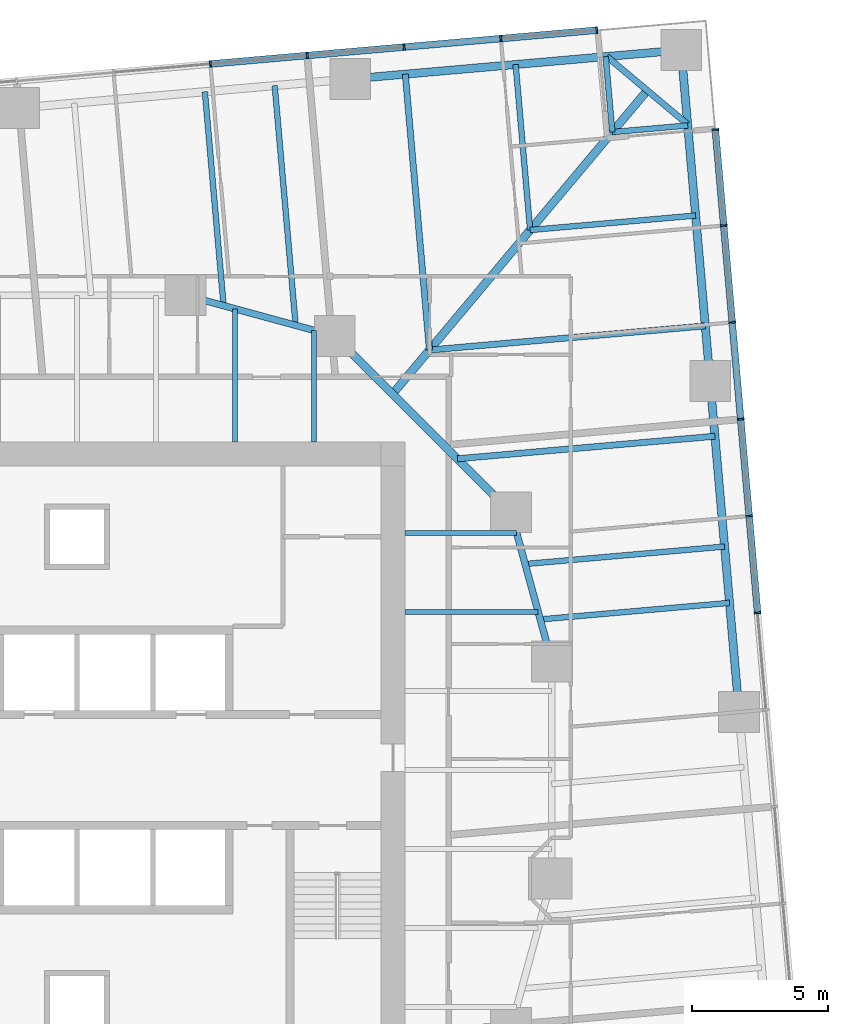
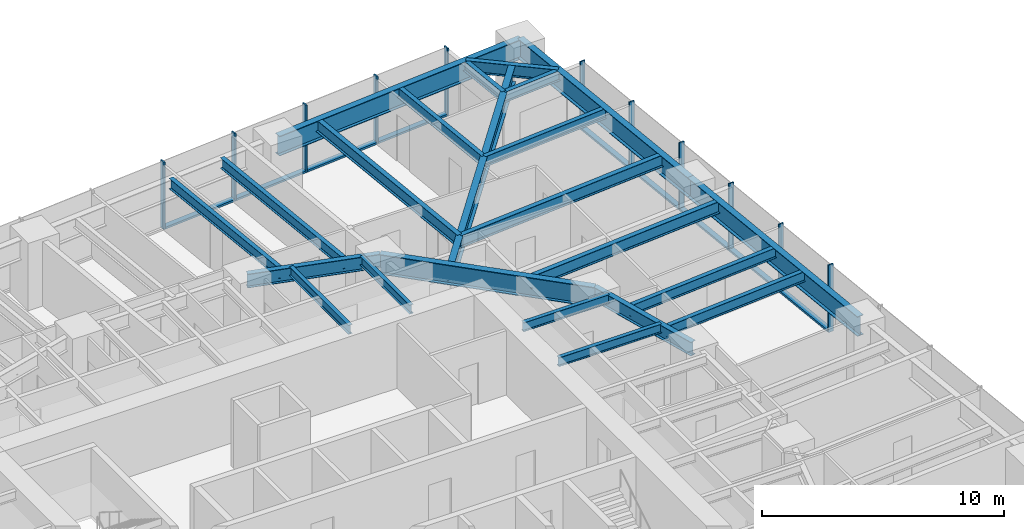
# One storey, part 6 of 14: 23 beams, 20 members, 2 elements without a shape of their own.
"""IFC4 building model written with IfcOpenShell, lengths in metres."""

import ifcopenshell
import ifcopenshell.guid

model = None  # the IFC model being written
_history = None  # IfcOwnerHistory: only IFC2X3 demands one
_inside = {}  # id of a spatial element -> (the spatial element, [elements in it])
_under = {}  # id of a project, library or spatial element -> (it, [spatial elements below it])
_declared = {}  # id of a project -> (the project, [libraries it declares])
_typed = {}  # id of a type object -> (the type object, [elements of that type])
_made_of = {}  # id of a material, layer set ... -> (it, [elements and type objects made of it])


def new_model(schema):
    """Start an empty IFC model of exactly this schema.

    Asked for "IFC4X3", IfcOpenShell would pick the latest addendum, in which some entities
    have other attributes; the version numbers below select the first issue.
    IFC2X3 requires an IfcOwnerHistory on every rooted entity: one is made here for all.
    """
    global model, _history
    if schema == "IFC4X3":
        model = ifcopenshell.file(schema_version=(4, 3, 0, 0))
    else:
        model = ifcopenshell.file(schema=schema)
    _inside.clear()
    _under.clear()
    _declared.clear()
    _typed.clear()
    _made_of.clear()
    _history = None
    if model.schema == "IFC2X3":
        org = make("IfcOrganization", Name="unknown")
        user = make(
            "IfcPersonAndOrganization",
            ThePerson=make("IfcPerson", FamilyName="unknown"),
            TheOrganization=org,
        )
        app = make(
            "IfcApplication",
            ApplicationDeveloper=org,
            Version="unknown",
            ApplicationFullName="unknown",
            ApplicationIdentifier="unknown",
        )
        _history = make(
            "IfcOwnerHistory",
            OwningUser=user,
            OwningApplication=app,
            ChangeAction="ADDED",
            CreationDate=0,
        )
    return model


def make(cls, **values):
    """One entity of the class cls with the attributes given. An attribute that is None is left unset."""
    return model.create_entity(
        cls, **{name: value for name, value in values.items() if value is not None}
    )


def rooted(cls, **values):
    """An entity with a GlobalId (a new one), such as an element, a storey or a relation."""
    return make(cls, GlobalId=ifcopenshell.guid.new(), OwnerHistory=_history, **values)


def si_unit(unit_type, name, prefix=None):
    """IfcSIUnit, for example si_unit("LENGTHUNIT", "METRE", prefix="MILLI")."""
    return make("IfcSIUnit", UnitType=unit_type, Prefix=prefix, Name=name)


def assignment(units):
    """IfcUnitAssignment: the units of a project."""
    return None if units is None else make("IfcUnitAssignment", Units=units)


def point(xyz):
    """IfcCartesianPoint."""
    return None if xyz is None else make("IfcCartesianPoint", Coordinates=xyz)


def direction(xyz):
    """IfcDirection."""
    return None if xyz is None else make("IfcDirection", DirectionRatios=xyz)


def frame(location, z_axis=None, x_axis=None):
    """IfcAxis2Placement3D, a coordinate frame: its origin and axes. An axis left out is left unset."""
    return make(
        "IfcAxis2Placement3D",
        Location=point(location),
        Axis=direction(z_axis),
        RefDirection=direction(x_axis),
    )


def frame_2d(location, x_axis=None):
    """IfcAxis2Placement2D, a coordinate frame in the plane: its origin and x axis."""
    return make(
        "IfcAxis2Placement2D", Location=point(location), RefDirection=direction(x_axis)
    )


def origin():
    """The frame at (0, 0, 0) with its axes left unset."""
    return frame((0.0, 0.0, 0.0))


def origin_2d():
    """The frame at (0, 0) in the plane with its x axis left unset."""
    return frame_2d((0.0, 0.0))


def place(relative_to, where):
    """IfcLocalPlacement: puts the frame where relative to a parent placement (None: the world)."""
    return make(
        "IfcLocalPlacement", PlacementRelTo=relative_to, RelativePlacement=where
    )


def context(
    kind, dimensions, precision=None, world=None, true_north=None, identifier=None
):
    """IfcGeometricRepresentationContext, for example the 3D "Model" context."""
    return make(
        "IfcGeometricRepresentationContext",
        ContextIdentifier=identifier,
        ContextType=kind,
        CoordinateSpaceDimension=dimensions,
        Precision=precision,
        WorldCoordinateSystem=world,
        TrueNorth=true_north,
    )


def subcontext(parent, identifier, kind, view, scale=None):
    """IfcGeometricRepresentationSubContext, for example "Body" below "Model"."""
    return make(
        "IfcGeometricRepresentationSubContext",
        ContextIdentifier=identifier,
        ContextType=kind,
        ParentContext=parent,
        TargetScale=scale,
        TargetView=view,
    )


def project(units=None, contexts=None):
    """IfcProject with its units and contexts."""
    return rooted(
        "IfcProject",
        Name="project",
        RepresentationContexts=contexts,
        UnitsInContext=assignment(units),
    )


def spatial(cls, under=None, at=None, **own):
    """A site, building, storey or space (cls), placed at a placement, below another one or the project."""
    s = rooted(cls, ObjectPlacement=at, **own)
    if under is not None:
        _under.setdefault(under.id(), (under, []))[1].append(s)
    return s


def profile(cls, at=None, kind="AREA", **sizes):
    """A parametric profile (cls). Its sizes go by their IFC names, for example OverallWidth=200.0."""
    return make(cls, ProfileType=kind, Position=at, **sizes)


def rectangle(**sizes):
    """IfcRectangleProfileDef."""
    return profile("IfcRectangleProfileDef", **sizes)


def i_section(**sizes):
    """IfcIShapeProfileDef."""
    return profile("IfcIShapeProfileDef", **sizes)


def extrude(swept, where, along, depth):
    """IfcExtrudedAreaSolid: the profile swept, set in the frame where, extruded along a direction by depth."""
    return make(
        "IfcExtrudedAreaSolid",
        SweptArea=swept,
        Position=where,
        ExtrudedDirection=direction(along),
        Depth=depth,
    )


def shape(context_of_items, identifier, shape_type, items):
    """IfcShapeRepresentation: the items that make up one representation, for example the "Body"."""
    return make(
        "IfcShapeRepresentation",
        ContextOfItems=context_of_items,
        RepresentationIdentifier=identifier,
        RepresentationType=shape_type,
        Items=items,
    )


def material(Name=None, Category=None):
    """IfcMaterial."""
    return make("IfcMaterial", Name=Name, Category=Category)


def material_profile(
    of_material, cross_section, Name=None, Category=None, Priority=None
):
    """IfcMaterialProfile: a cross section and its material."""
    return make(
        "IfcMaterialProfile",
        Name=Name,
        Material=of_material,
        Profile=cross_section,
        Priority=Priority,
        Category=Category,
    )


def profile_set(profiles, Name=None, composite=None):
    """IfcMaterialProfileSet."""
    return make(
        "IfcMaterialProfileSet",
        Name=Name,
        MaterialProfiles=profiles,
        CompositeProfile=composite,
    )


def made_of(thing, what):
    """Note that an element or type object is made of a material, layer set ...; save() writes the relation."""
    if what is not None:
        _made_of.setdefault(what.id(), (what, []))[1].append(thing)
    return thing


def type_object(cls, material=None, **own):
    """A type object (cls), such as IfcWallType, which elements share."""
    return made_of(rooted(cls, **own), material)


def element(
    cls,
    number,
    at=None,
    inside=None,
    cuts=None,
    type_object=None,
    material=None,
    context=None,
    identifier="Body",
    shape_type=None,
    held_by="IfcProductDefinitionShape",
    body=None,
    shapes=None,
    **own,
):
    """One element of the class cls, such as IfcWall. Its Tag is "e" and its number.

    at: its placement. inside: the storey or other place that contains it. cuts: it is an
    opening in that element (IfcRelVoidsElement). A single representation is given by context,
    identifier, shape_type and body (its items); several are given by shapes. held_by: the class
    of the entity that holds the representations. save() writes the other relations.
    """
    e = rooted(cls, Tag="e%d" % number, ObjectPlacement=at, **own)
    if body is not None:
        shapes = [shape(context, identifier, shape_type, body)]
    if shapes is not None:
        e.Representation = make(held_by, Representations=shapes)
    if inside is not None:
        _inside.setdefault(inside.id(), (inside, []))[1].append(e)
    if cuts is not None:
        rooted(
            "IfcRelVoidsElement", RelatingBuildingElement=cuts, RelatedOpeningElement=e
        )
    if type_object is not None:
        _typed.setdefault(type_object.id(), (type_object, []))[1].append(e)
    return made_of(e, material)


def aggregate(whole, parts):
    """IfcRelAggregates: a whole, such as a stair, and the parts it consists of."""
    return rooted("IfcRelAggregates", RelatingObject=whole, RelatedObjects=parts)


def save(model, path):
    """Write the relations noted so far, then the file.

    IfcRelAggregates (storeys below a building ...), IfcRelContainedInSpatialStructure (elements
    in a storey), IfcRelDefinesByType, IfcRelAssociatesMaterial and IfcRelDeclares: one each for
    every whole, place, type object, material and project.
    """
    for whole, parts in _under.values():
        aggregate(whole, parts)
    for where, things in _inside.values():
        rooted(
            "IfcRelContainedInSpatialStructure",
            RelatedElements=things,
            RelatingStructure=where,
        )
    for kind, things in _typed.values():
        rooted("IfcRelDefinesByType", RelatedObjects=things, RelatingType=kind)
    for what, things in _made_of.values():
        rooted("IfcRelAssociatesMaterial", RelatedObjects=things, RelatingMaterial=what)
    for by, libraries in _declared.values():
        rooted("IfcRelDeclares", RelatingContext=by, RelatedDefinitions=libraries)
    model.write(path)


model = new_model("IFC4")

# Units and contexts
model_context = context("Model", 3, precision=1e-05, world=origin(), true_north=direction((0.0, 1.0)))
body_context = subcontext(model_context, "Body", "Model", "MODEL_VIEW")
ifc_project = project(units=[si_unit("LENGTHUNIT", "METRE"), si_unit("AREAUNIT", "SQUARE_METRE"), si_unit("VOLUMEUNIT", "CUBIC_METRE"), si_unit("PLANEANGLEUNIT", "RADIAN"), si_unit("MASSUNIT", "GRAM", prefix="KILO")], contexts=[model_context])

# Site, building, storey
site_placement = place(None, origin())
site = spatial("IfcSite", under=ifc_project, at=site_placement, CompositionType="ELEMENT")
building_placement = place(site_placement, origin())
building = spatial("IfcBuilding", under=site, at=building_placement, Name="Torsade Residences", CompositionType="ELEMENT")
storey_placement = place(building_placement, frame((0.0, 0.0, 67.60009765625)))
storey = spatial("IfcBuildingStorey", under=building, at=storey_placement, Name="L18", CompositionType="ELEMENT", Elevation=67.60009765625)

# Beams
ifc_material_1 = material(Name="Steel grade 300", Category="steel")
ifc_material_profile_1 = material_profile(ifc_material_1, i_section(OverallWidth=0.300048828125, OverallDepth=0.89990234375, WebThickness=0.011962890625, FlangeThickness=0.02490234375, at=origin_2d()), Name="900WB175")
ifc_profile_set_1 = profile_set([ifc_material_profile_1], Name="Steel grade 300")
beam_type_1 = type_object("IfcBeamType", Name="CORNER GIRDER 900WB175", PredefinedType="BEAM", material=ifc_profile_set_1)
beam_1_placement = place(storey_placement, frame((61.021484375, 55.052490234375, 2.7998046875), z_axis=(-0.642785419012, -0.766046281307, 0.0), x_axis=(0.766046281307, -0.642785419012, 0.0)))
element("IfcBeam", 1, at=beam_1_placement, inside=storey, type_object=beam_type_1, Name="Corner girder 09 L19", PredefinedType="BEAM", context=body_context, shape_type="SweptSolid", body=[
    extrude(i_section(OverallWidth=0.300048828125, OverallDepth=0.89990234375, WebThickness=0.011962890625, FlangeThickness=0.02490234375, at=origin_2d()), origin(), (0.0, 0.0, 1.0), 14.603515625),
])
ifc_material_2 = material(Name="Steel grade 300", Category="steel")
ifc_material_profile_2 = material_profile(ifc_material_2, i_section(OverallWidth=0.22802734375, OverallDepth=0.60205078125, WebThickness=0.010498046875, FlangeThickness=0.014892578125, FilletRadius=0.013916015625, at=origin_2d()), Name="610UB101")
ifc_profile_set_2 = profile_set([ifc_material_profile_2], Name="Steel grade 300")
beam_type_2 = type_object("IfcBeamType", Name="CORNER TRIMMER 610UB101", PredefinedType="BEAM", material=ifc_profile_set_2)
beam_2_placement = place(storey_placement, frame((59.531982421875, 56.302490234375, 2.948974609375), z_axis=(0.766030001697, -0.642804819911, 0.0), x_axis=(0.642804819911, 0.766030001697, 0.0)))
element("IfcBeam", 2, at=beam_2_placement, inside=storey, type_object=beam_type_2, Name="Corner trimmer 09 L19", PredefinedType="BEAM", context=body_context, shape_type="SweptSolid", body=[
    extrude(i_section(OverallWidth=0.22802734375, OverallDepth=0.60205078125, WebThickness=0.010498046875, FlangeThickness=0.014892578125, FilletRadius=0.013916015625, at=origin_2d()), origin(), (0.0, 0.0, 1.0), 3.88916015625),
])

# Curtain wall, members
ifc_material_3 = material(Name="Aluminium and glass", Category="aluminium")
curtain_wall_type = type_object("IfcCurtainWallType", Name="FRITTED GLASS CURTAIN WALL LOW ZONE", PredefinedType="NOTDEFINED", material=ifc_material_3)
curtain_wall_1_placement = place(storey_placement, origin())
curtain_wall_1 = element("IfcCurtainWall", 3, at=curtain_wall_1_placement, inside=storey, type_object=curtain_wall_type, Name="Curtain wall L18 face 4", PredefinedType="NOTDEFINED")
ifc_material_4 = material(Name="Aluminium mullion", Category="aluminium")
ifc_material_profile_3 = material_profile(ifc_material_4, rectangle(XDim=0.25, YDim=0.06494140625, at=origin_2d()), Name="CURTAIN WALL MULLION 250x65")
ifc_profile_set_3 = profile_set([ifc_material_profile_3], Name="Aluminium mullion")
member_type_1 = type_object("IfcMemberType", Name="CURTAIN WALL MULLION 250x65", PredefinedType="MULLION", material=ifc_profile_set_3)
member_1_placement = place(storey_placement, frame((65.090576171875, 35.792236328125, 0.0), z_axis=(0.0, 0.0, 1.0), x_axis=(-0.996194697964, -0.087155744208, 0.0)))
member_1 = element("IfcMember", 4, at=member_1_placement, type_object=member_type_1, Name="Mullion 8", PredefinedType="MULLION", context=body_context, shape_type="SweptSolid", body=[
    extrude(rectangle(XDim=0.25, YDim=0.06494140625, at=origin_2d()), origin(), (0.0, 0.0, 1.0), 3.39990234375),
])
member_2_placement = place(storey_placement, frame((64.7783203125, 39.36181640625, 0.0), z_axis=(0.0, 0.0, 1.0), x_axis=(-0.996194697964, -0.087155744208, 0.0)))
member_2 = element("IfcMember", 5, at=member_2_placement, type_object=member_type_1, Name="Mullion 9", PredefinedType="MULLION", context=body_context, shape_type="SweptSolid", body=[
    extrude(rectangle(XDim=0.25, YDim=0.06494140625, at=origin_2d()), origin(), (0.0, 0.0, 1.0), 3.39990234375),
])
member_3_placement = place(storey_placement, frame((64.466064453125, 42.931640625, 0.0), z_axis=(0.0, 0.0, 1.0), x_axis=(-0.996194697964, -0.087155744208, 0.0)))
member_3 = element("IfcMember", 6, at=member_3_placement, type_object=member_type_1, Name="Mullion 10", PredefinedType="MULLION", context=body_context, shape_type="SweptSolid", body=[
    extrude(rectangle(XDim=0.25, YDim=0.06494140625, at=origin_2d()), origin(), (0.0, 0.0, 1.0), 3.39990234375),
])
member_4_placement = place(storey_placement, frame((64.15380859375, 46.501220703125, 0.0), z_axis=(0.0, 0.0, 1.0), x_axis=(-0.996194697964, -0.087155744208, 0.0)))
member_4 = element("IfcMember", 7, at=member_4_placement, type_object=member_type_1, Name="Mullion 11", PredefinedType="MULLION", context=body_context, shape_type="SweptSolid", body=[
    extrude(rectangle(XDim=0.25, YDim=0.06494140625, at=origin_2d()), origin(), (0.0, 0.0, 1.0), 3.39990234375),
])
member_5_placement = place(storey_placement, frame((63.84130859375, 50.071044921875, 0.0), z_axis=(0.0, 0.0, 1.0), x_axis=(-0.996194697964, -0.087155744208, 0.0)))
member_5 = element("IfcMember", 8, at=member_5_placement, type_object=member_type_1, Name="Mullion 12", PredefinedType="MULLION", context=body_context, shape_type="SweptSolid", body=[
    extrude(rectangle(XDim=0.25, YDim=0.06494140625, at=origin_2d()), origin(), (0.0, 0.0, 1.0), 3.39990234375),
])
member_6_placement = place(storey_placement, frame((63.531982421875, 53.6083984375, 0.0), z_axis=(0.0, 0.0, 1.0), x_axis=(-0.996194697964, -0.087155744208, 0.0)))
member_6 = element("IfcMember", 9, at=member_6_placement, type_object=member_type_1, Name="Mullion 13", PredefinedType="MULLION", context=body_context, shape_type="SweptSolid", body=[
    extrude(rectangle(XDim=0.25, YDim=0.06494140625, at=origin_2d()), origin(), (0.0, 0.0, 1.0), 3.39990234375),
])

curtain_wall_2_placement = place(storey_placement, origin())
curtain_wall_2 = element("IfcCurtainWall", 10, at=curtain_wall_2_placement, inside=storey, type_object=curtain_wall_type, Name="Curtain wall L18 face 7", PredefinedType="NOTDEFINED")
member_7_placement = place(storey_placement, frame((59.163330078125, 57.27392578125, 0.0), z_axis=(0.0, 0.0, 1.0), x_axis=(0.087155744208, -0.996194697964, 0.0)))
member_7 = element("IfcMember", 11, at=member_7_placement, type_object=member_type_1, Name="Mullion 1", PredefinedType="MULLION", context=body_context, shape_type="SweptSolid", body=[
    extrude(rectangle(XDim=0.25, YDim=0.06494140625, at=origin_2d()), origin(), (0.0, 0.0, 1.0), 3.39990234375),
])
member_8_placement = place(storey_placement, frame((55.6259765625, 56.964599609375, 0.0), z_axis=(0.0, 0.0, 1.0), x_axis=(0.087155744208, -0.996194697964, 0.0)))
member_8 = element("IfcMember", 12, at=member_8_placement, type_object=member_type_1, Name="Mullion 2", PredefinedType="MULLION", context=body_context, shape_type="SweptSolid", body=[
    extrude(rectangle(XDim=0.25, YDim=0.06494140625, at=origin_2d()), origin(), (0.0, 0.0, 1.0), 3.39990234375),
])
member_9_placement = place(storey_placement, frame((52.056396484375, 56.652099609375, 0.0), z_axis=(0.0, 0.0, 1.0), x_axis=(0.087155744208, -0.996194697964, 0.0)))
member_9 = element("IfcMember", 13, at=member_9_placement, type_object=member_type_1, Name="Mullion 3", PredefinedType="MULLION", context=body_context, shape_type="SweptSolid", body=[
    extrude(rectangle(XDim=0.25, YDim=0.06494140625, at=origin_2d()), origin(), (0.0, 0.0, 1.0), 3.39990234375),
])
member_10_placement = place(storey_placement, frame((48.486572265625, 56.33984375, 0.0), z_axis=(0.0, 0.0, 1.0), x_axis=(0.087155744208, -0.996194697964, 0.0)))
member_10 = element("IfcMember", 14, at=member_10_placement, type_object=member_type_1, Name="Mullion 4", PredefinedType="MULLION", context=body_context, shape_type="SweptSolid", body=[
    extrude(rectangle(XDim=0.25, YDim=0.06494140625, at=origin_2d()), origin(), (0.0, 0.0, 1.0), 3.39990234375),
])
member_11_placement = place(storey_placement, frame((44.9169921875, 56.027587890625, 0.0), z_axis=(0.0, 0.0, 1.0), x_axis=(0.087155744208, -0.996194697964, 0.0)))
member_11 = element("IfcMember", 15, at=member_11_placement, type_object=member_type_1, Name="Mullion 5", PredefinedType="MULLION", context=body_context, shape_type="SweptSolid", body=[
    extrude(rectangle(XDim=0.25, YDim=0.06494140625, at=origin_2d()), origin(), (0.0, 0.0, 1.0), 3.39990234375),
])

# Member
ifc_material_5 = material(Name="Aluminium transom", Category="aluminium")
ifc_material_profile_4 = material_profile(ifc_material_5, rectangle(XDim=0.25, YDim=0.10009765625, at=origin_2d()), Name="CURTAIN WALL TRANSOM 250x100")
ifc_profile_set_4 = profile_set([ifc_material_profile_4], Name="Aluminium transom")
member_type_2 = type_object("IfcMemberType", Name="CURTAIN WALL TRANSOM 250x100", PredefinedType="USERDEFINED", material=ifc_profile_set_4)
member_12_placement = place(storey_placement, frame((65.087890625, 35.824462890625, 0.0498046875), z_axis=(-0.08715059597, 0.996195148363, 0.0), x_axis=(-0.996195148363, -0.08715059597, 0.0)))
member_12 = element("IfcMember", 16, at=member_12_placement, type_object=member_type_2, Name="Transom 8.1", ObjectType="TRANSOM", PredefinedType="USERDEFINED", context=body_context, shape_type="SweptSolid", body=[
    extrude(rectangle(XDim=0.25, YDim=0.10009765625, at=origin_2d()), origin(), (0.0, 0.0, 1.0), 3.5185546875),
])

member_13_placement = place(storey_placement, frame((64.775634765625, 39.394287109375, 0.0498046875), z_axis=(-0.087156620531, 0.996194621295, 0.0), x_axis=(-0.996194621295, -0.087156620531, 0.0)))
member_13 = element("IfcMember", 17, at=member_13_placement, type_object=member_type_2, Name="Transom 9.1", ObjectType="TRANSOM", PredefinedType="USERDEFINED", context=body_context, shape_type="SweptSolid", body=[
    extrude(rectangle(XDim=0.25, YDim=0.10009765625, at=origin_2d()), origin(), (0.0, 0.0, 1.0), 3.518310546875),
])

member_14_placement = place(storey_placement, frame((64.463134765625, 42.9638671875, 0.0498046875), z_axis=(-0.08715059597, 0.996195148363, 0.0), x_axis=(-0.996195148363, -0.08715059597, 0.0)))
member_14 = element("IfcMember", 18, at=member_14_placement, type_object=member_type_2, Name="Transom 10.1", ObjectType="TRANSOM", PredefinedType="USERDEFINED", context=body_context, shape_type="SweptSolid", body=[
    extrude(rectangle(XDim=0.25, YDim=0.10009765625, at=origin_2d()), origin(), (0.0, 0.0, 1.0), 3.5185546875),
])

member_15_placement = place(storey_placement, frame((64.15087890625, 46.53369140625, 0.0498046875), z_axis=(-0.087156620531, 0.996194621295, 0.0), x_axis=(-0.996194621295, -0.087156620531, 0.0)))
member_15 = element("IfcMember", 19, at=member_15_placement, type_object=member_type_2, Name="Transom 11.1", ObjectType="TRANSOM", PredefinedType="USERDEFINED", context=body_context, shape_type="SweptSolid", body=[
    extrude(rectangle(XDim=0.25, YDim=0.10009765625, at=origin_2d()), origin(), (0.0, 0.0, 1.0), 3.518310546875),
])

member_16_placement = place(storey_placement, frame((63.838623046875, 50.103271484375, 0.0498046875), z_axis=(-0.08719475177, 0.996191284475, 0.0), x_axis=(-0.996191284475, -0.08719475177, 0.0)))
member_16 = element("IfcMember", 20, at=member_16_placement, type_object=member_type_2, Name="Transom 12.1", ObjectType="TRANSOM", PredefinedType="USERDEFINED", context=body_context, shape_type="SweptSolid", body=[
    extrude(rectangle(XDim=0.25, YDim=0.10009765625, at=origin_2d()), origin(), (0.0, 0.0, 1.0), 3.48583984375),
])

aggregate(curtain_wall_1, [member_1, member_2, member_3, member_4, member_5, member_6, member_12, member_13, member_14, member_15, member_16])

member_17_placement = place(storey_placement, frame((59.130859375, 57.271240234375, 0.0498046875), z_axis=(-0.996190751941, -0.0872008357, 0.0), x_axis=(0.0872008357, -0.996190751941, 0.0)))
member_17 = element("IfcMember", 21, at=member_17_placement, type_object=member_type_2, Name="Transom 1.1", ObjectType="TRANSOM", PredefinedType="USERDEFINED", context=body_context, shape_type="SweptSolid", body=[
    extrude(rectangle(XDim=0.25, YDim=0.10009765625, at=origin_2d()), origin(), (0.0, 0.0, 1.0), 3.485595703125),
])

member_18_placement = place(storey_placement, frame((55.59375, 56.961669921875, 0.0498046875), z_axis=(-0.996195148363, -0.08715059597, 0.0), x_axis=(0.08715059597, -0.996195148363, 0.0)))
member_18 = element("IfcMember", 22, at=member_18_placement, type_object=member_type_2, Name="Transom 2.1", ObjectType="TRANSOM", PredefinedType="USERDEFINED", context=body_context, shape_type="SweptSolid", body=[
    extrude(rectangle(XDim=0.25, YDim=0.10009765625, at=origin_2d()), origin(), (0.0, 0.0, 1.0), 3.5185546875),
])

member_19_placement = place(storey_placement, frame((52.02392578125, 56.6494140625, 0.0498046875), z_axis=(-0.996194621295, -0.087156620531, 0.0), x_axis=(0.087156620531, -0.996194621295, 0.0)))
member_19 = element("IfcMember", 23, at=member_19_placement, type_object=member_type_2, Name="Transom 3.1", ObjectType="TRANSOM", PredefinedType="USERDEFINED", context=body_context, shape_type="SweptSolid", body=[
    extrude(rectangle(XDim=0.25, YDim=0.10009765625, at=origin_2d()), origin(), (0.0, 0.0, 1.0), 3.518310546875),
])

member_20_placement = place(storey_placement, frame((48.454345703125, 56.337158203125, 0.0498046875), z_axis=(-0.996195148363, -0.08715059597, 0.0), x_axis=(0.08715059597, -0.996195148363, 0.0)))
member_20 = element("IfcMember", 24, at=member_20_placement, type_object=member_type_2, Name="Transom 4.1", ObjectType="TRANSOM", PredefinedType="USERDEFINED", context=body_context, shape_type="SweptSolid", body=[
    extrude(rectangle(XDim=0.25, YDim=0.10009765625, at=origin_2d()), origin(), (0.0, 0.0, 1.0), 3.5185546875),
])

aggregate(curtain_wall_2, [member_7, member_8, member_9, member_10, member_11, member_17, member_18, member_19, member_20])

# Beams
ifc_material_6 = material(Name="Steel grade 300", Category="steel")
ifc_material_profile_5 = material_profile(ifc_material_6, i_section(OverallWidth=0.300048828125, OverallDepth=1.0, WebThickness=0.01611328125, FlangeThickness=0.028076171875, at=origin_2d()), Name="1000WB215")
ifc_profile_set_5 = profile_set([ifc_material_profile_5], Name="Steel grade 300")
beam_type_3 = type_object("IfcBeamType", Name="EDGE BEAM 1000WB215", PredefinedType="SPANDREL", material=ifc_profile_set_5)
for number, where, z_axis, x_axis, name in (
    (25, (64.40673828125, 32.13525390625, 2.75), (-0.08715335259, 0.996194907201, 0.0), (-0.996194907201, -0.08715335259, 0.0), "Edge beam 07 L19"),
    (26, (63.339111328125, 44.338623046875, 2.75), (-0.08715335259, 0.996194907201, 0.0), (-0.996194907201, -0.08715335259, 0.0), "Edge beam 08 L19"),
    (27, (62.271484375, 56.5419921875, 2.75), (-0.996194907201, -0.08715335259, 0.0), (0.08715335259, -0.996194907201, 0.0), "Edge beam 09 L19"),
):
    element("IfcBeam", number, at=place(storey_placement, frame(where, z_axis=z_axis, x_axis=x_axis)), inside=storey, type_object=beam_type_3, Name=name, PredefinedType="SPANDREL", context=body_context, shape_type="SweptSolid", body=[
        extrude(i_section(OverallWidth=0.300048828125, OverallDepth=1.0, WebThickness=0.01611328125, FlangeThickness=0.028076171875, at=origin_2d()), origin(), (0.0, 0.0, 1.0), 12.25),
    ])
ifc_material_7 = material(Name="Steel grade 300", Category="steel")
ifc_material_profile_6 = material_profile(ifc_material_7, i_section(OverallWidth=0.18994140625, OverallDepth=0.4541015625, WebThickness=0.008544921875, FlangeThickness=0.0126953125, FilletRadius=0.011474609375, at=origin_2d()), Name="460UB67.1")
ifc_profile_set_6 = profile_set([ifc_material_profile_6], Name="Steel grade 300")
beam_type_4 = type_object("IfcBeamType", Name="INNER FLOOR BEAM 460UB67.1", PredefinedType="JOIST", material=ifc_profile_set_6)
beam_3_placement = place(storey_placement, frame((45.824951171875, 42.10009765625, 3.02294921875), z_axis=(0.0, 1.0, 0.0), x_axis=(-1.0, 0.0, 0.0)))
element("IfcBeam", 28, at=beam_3_placement, inside=storey, type_object=beam_type_4, Name="Inner floor beam IN06 L19", PredefinedType="JOIST", context=body_context, shape_type="SweptSolid", body=[
    extrude(i_section(OverallWidth=0.18994140625, OverallDepth=0.4541015625, WebThickness=0.008544921875, FlangeThickness=0.0126953125, FilletRadius=0.011474609375, at=origin_2d()), origin(), (0.0, 0.0, 1.0), 4.902099609375),
])
beam_4_placement = place(storey_placement, frame((48.737548828125, 42.10009765625, 3.02294921875), z_axis=(0.0, 1.0, 0.0), x_axis=(-1.0, 0.0, 0.0)))
element("IfcBeam", 29, at=beam_4_placement, inside=storey, type_object=beam_type_4, Name="Inner floor beam IN07 L19", PredefinedType="JOIST", context=body_context, shape_type="SweptSolid", body=[
    extrude(i_section(OverallWidth=0.18994140625, OverallDepth=0.4541015625, WebThickness=0.008544921875, FlangeThickness=0.0126953125, FilletRadius=0.011474609375, at=origin_2d()), origin(), (0.0, 0.0, 1.0), 4.10791015625),
])
beam_5_placement = place(storey_placement, frame((52.10009765625, 35.824951171875, 3.02294921875), z_axis=(1.0, 0.0, 0.0), x_axis=(0.0, 1.0, 0.0)))
element("IfcBeam", 30, at=beam_5_placement, inside=storey, type_object=beam_type_4, Name="Inner floor beam IE06 L19", PredefinedType="JOIST", context=body_context, shape_type="SweptSolid", body=[
    extrude(i_section(OverallWidth=0.18994140625, OverallDepth=0.4541015625, WebThickness=0.008544921875, FlangeThickness=0.0126953125, FilletRadius=0.011474609375, at=origin_2d()), origin(), (0.0, 0.0, 1.0), 4.902099609375),
])
beam_6_placement = place(storey_placement, frame((52.10009765625, 38.737548828125, 3.02294921875), z_axis=(1.0, 0.0, 0.0), x_axis=(0.0, 1.0, 0.0)))
element("IfcBeam", 31, at=beam_6_placement, inside=storey, type_object=beam_type_4, Name="Inner floor beam IE07 L19", PredefinedType="JOIST", context=body_context, shape_type="SweptSolid", body=[
    extrude(i_section(OverallWidth=0.18994140625, OverallDepth=0.4541015625, WebThickness=0.008544921875, FlangeThickness=0.0126953125, FilletRadius=0.011474609375, at=origin_2d()), origin(), (0.0, 0.0, 1.0), 4.10791015625),
])
ifc_material_8 = material(Name="Steel grade 300", Category="steel")
ifc_material_profile_7 = material_profile(ifc_material_8, i_section(OverallWidth=0.300048828125, OverallDepth=1.0, WebThickness=0.01611328125, FlangeThickness=0.028076171875, at=origin_2d()), Name="1000WB215")
ifc_profile_set_7 = profile_set([ifc_material_profile_7], Name="Steel grade 300")
beam_type_5 = type_object("IfcBeamType", Name="RING CORNER GIRDER 1000WB215", PredefinedType="BEAM", material=ifc_profile_set_7)
beam_7_placement = place(storey_placement, frame((56.0, 39.5, 2.75), z_axis=(-0.707106781187, 0.707106781187, 0.0), x_axis=(-0.707106781187, -0.707106781187, 0.0)))
element("IfcBeam", 32, at=beam_7_placement, inside=storey, type_object=beam_type_5, Name="Ring girder IR03 L19", PredefinedType="BEAM", context=body_context, shape_type="SweptSolid", body=[
    extrude(i_section(OverallWidth=0.300048828125, OverallDepth=1.0, WebThickness=0.01611328125, FlangeThickness=0.028076171875, at=origin_2d()), origin(), (0.0, 0.0, 1.0), 9.1923828125),
])
ifc_material_9 = material(Name="Steel grade 300", Category="steel")
ifc_material_profile_8 = material_profile(ifc_material_9, i_section(OverallWidth=0.25, OverallDepth=0.699951171875, WebThickness=0.010009765625, FlangeThickness=0.02001953125, at=origin_2d()), Name="700WB130")
ifc_profile_set_8 = profile_set([ifc_material_profile_8], Name="Steel grade 300")
beam_type_6 = type_object("IfcBeamType", Name="RING GIRDER 700WB130", PredefinedType="BEAM", material=ifc_profile_set_8)
for number, where, z_axis, x_axis, name in (
    (33, (57.5, 34.0, 2.89990234375), (-0.263117405792, 0.964763821238, 0.0), (-0.964763821238, -0.263117405792, 0.0), "Ring girder IR02 L19"),
    (34, (49.5, 46.0, 2.89990234375), (-0.964763821238, 0.263117405792, 0.0), (-0.263117405792, -0.964763821238, 0.0), "Ring girder IR04 L19"),
):
    element("IfcBeam", number, at=place(storey_placement, frame(where, z_axis=z_axis, x_axis=x_axis)), inside=storey, type_object=beam_type_6, Name=name, PredefinedType="BEAM", context=body_context, shape_type="SweptSolid", body=[
        extrude(i_section(OverallWidth=0.25, OverallDepth=0.699951171875, WebThickness=0.010009765625, FlangeThickness=0.02001953125, at=origin_2d()), origin(), (0.0, 0.0, 1.0), 5.700927734375),
    ])
ifc_material_10 = material(Name="Steel grade 300", Category="steel")
ifc_material_profile_9 = material_profile(ifc_material_10, i_section(OverallWidth=0.208984375, OverallDepth=0.528076171875, WebThickness=0.009521484375, FlangeThickness=0.01318359375, FilletRadius=0.013916015625, at=origin_2d()), Name="530UB82.0")
ifc_profile_set_9 = profile_set([ifc_material_profile_9], Name="Steel grade 300")
beam_type_7 = type_object("IfcBeamType", Name="SECONDARY BEAM 530UB82.0", PredefinedType="JOIST", material=ifc_profile_set_9)
beam_8_placement = place(storey_placement, frame((64.054443359375, 36.16162109375, 2.98583984375), z_axis=(-0.99619296077, -0.087175598142, 0.0), x_axis=(0.087175598142, -0.99619296077, 0.0)))
element("IfcBeam", 35, at=beam_8_placement, inside=storey, type_object=beam_type_7, Name="Floor beam FE07 L19", PredefinedType="JOIST", context=body_context, shape_type="SweptSolid", body=[
    extrude(i_section(OverallWidth=0.208984375, OverallDepth=0.528076171875, WebThickness=0.009521484375, FlangeThickness=0.01318359375, FilletRadius=0.013916015625, at=origin_2d()), origin(), (0.0, 0.0, 1.0), 7.004150390625),
])
beam_9_placement = place(storey_placement, frame((63.873046875, 38.237060546875, 2.98583984375), z_axis=(-0.996194650902, -0.087156282128, 0.0), x_axis=(0.087156282128, -0.996194650902, 0.0)))
element("IfcBeam", 36, at=beam_9_placement, inside=storey, type_object=beam_type_7, Name="Floor beam FE08 L19", PredefinedType="JOIST", context=body_context, shape_type="SweptSolid", body=[
    extrude(i_section(OverallWidth=0.208984375, OverallDepth=0.528076171875, WebThickness=0.009521484375, FlangeThickness=0.01318359375, FilletRadius=0.013916015625, at=origin_2d()), origin(), (0.0, 0.0, 1.0), 7.381103515625),
])
beam_10_placement = place(storey_placement, frame((62.80517578125, 50.4404296875, 2.98583984375), z_axis=(-0.996193025206, -0.087174861801, 0.0), x_axis=(0.087174861801, -0.996193025206, 0.0)))
element("IfcBeam", 37, at=beam_10_placement, inside=storey, type_object=beam_type_7, Name="Floor beam FE11 L19", PredefinedType="JOIST", context=body_context, shape_type="SweptSolid", body=[
    extrude(i_section(OverallWidth=0.208984375, OverallDepth=0.528076171875, WebThickness=0.009521484375, FlangeThickness=0.01318359375, FilletRadius=0.013916015625, at=origin_2d()), origin(), (0.0, 0.0, 1.0), 6.125),
])
for number, where, z_axis, x_axis, name in (
    (38, (62.5146484375, 53.760986328125, 2.98583984375), (-0.996199126418, -0.087105111923, 0.0), (0.087105111923, -0.996199126418, 0.0), "Floor beam FE12 L19"),
    (39, (59.490478515625, 56.298828125, 2.98583984375), (0.087105111923, -0.996199126418, 0.0), (0.996199126418, 0.087105111923, 0.0), "Floor beam FN01 L19"),
):
    element("IfcBeam", number, at=place(storey_placement, frame(where, z_axis=z_axis, x_axis=x_axis)), inside=storey, type_object=beam_type_7, Name=name, PredefinedType="JOIST", context=body_context, shape_type="SweptSolid", body=[
        extrude(i_section(OverallWidth=0.208984375, OverallDepth=0.528076171875, WebThickness=0.009521484375, FlangeThickness=0.01318359375, FilletRadius=0.013916015625, at=origin_2d()), origin(), (0.0, 0.0, 1.0), 2.79150390625),
    ])
beam_11_placement = place(storey_placement, frame((56.169677734375, 56.00830078125, 2.98583984375), z_axis=(0.087171400335, -0.996193328106, 0.0), x_axis=(0.996193328106, 0.087171400335, 0.0)))
element("IfcBeam", 40, at=beam_11_placement, inside=storey, type_object=beam_type_7, Name="Floor beam FN02 L19", PredefinedType="JOIST", context=body_context, shape_type="SweptSolid", body=[
    extrude(i_section(OverallWidth=0.208984375, OverallDepth=0.528076171875, WebThickness=0.009521484375, FlangeThickness=0.01318359375, FilletRadius=0.013916015625, at=origin_2d()), origin(), (0.0, 0.0, 1.0), 6.125244140625),
])
beam_12_placement = place(storey_placement, frame((47.287109375, 55.231201171875, 2.98583984375), z_axis=(0.08714612802, -0.996195539225, 0.0), x_axis=(0.996195539225, 0.08714612802, 0.0)))
element("IfcBeam", 41, at=beam_12_placement, inside=storey, type_object=beam_type_7, Name="Floor beam FN04 L19", PredefinedType="JOIST", context=body_context, shape_type="SweptSolid", body=[
    extrude(i_section(OverallWidth=0.208984375, OverallDepth=0.528076171875, WebThickness=0.009521484375, FlangeThickness=0.01318359375, FilletRadius=0.013916015625, at=origin_2d()), origin(), (0.0, 0.0, 1.0), 8.872314453125),
])
beam_13_placement = place(storey_placement, frame((44.713623046875, 55.005859375, 2.98583984375), z_axis=(0.087157771408, -0.996194520605, 0.0), x_axis=(0.996194520605, 0.087157771408, 0.0)))
element("IfcBeam", 42, at=beam_13_placement, inside=storey, type_object=beam_type_7, Name="Floor beam FN05 L19", PredefinedType="JOIST", context=body_context, shape_type="SweptSolid", body=[
    extrude(i_section(OverallWidth=0.208984375, OverallDepth=0.528076171875, WebThickness=0.009521484375, FlangeThickness=0.01318359375, FilletRadius=0.013916015625, at=origin_2d()), origin(), (0.0, 0.0, 1.0), 7.918701171875),
])
ifc_material_11 = material(Name="Steel grade 300", Category="steel")
ifc_material_profile_10 = material_profile(ifc_material_11, i_section(OverallWidth=0.22900390625, OverallDepth=0.612060546875, WebThickness=0.011962890625, FlangeThickness=0.01953125, FilletRadius=0.013916015625, at=origin_2d()), Name="610UB125")
ifc_profile_set_10 = profile_set([ifc_material_profile_10], Name="Steel grade 300")
beam_type_8 = type_object("IfcBeamType", Name="SECONDARY BEAM 610UB125", PredefinedType="JOIST", material=ifc_profile_set_10)
beam_14_placement = place(storey_placement, frame((63.51708984375, 42.3046875, 2.94384765625), z_axis=(-0.996195358323, -0.087148195942, 0.0), x_axis=(0.087148195942, -0.996195358323, 0.0)))
element("IfcBeam", 43, at=beam_14_placement, inside=storey, type_object=beam_type_8, Name="Floor beam FE09 L19", PredefinedType="JOIST", context=body_context, shape_type="SweptSolid", body=[
    extrude(i_section(OverallWidth=0.22900390625, OverallDepth=0.612060546875, WebThickness=0.011962890625, FlangeThickness=0.01953125, FilletRadius=0.013916015625, at=origin_2d()), origin(), (0.0, 0.0, 1.0), 9.527587890625),
])
for number, where, z_axis, x_axis, name in (
    (44, (63.1611328125, 46.37255859375, 2.94384765625), (-0.996195222988, -0.087149742944, 0.0), (0.087149742944, -0.996195222988, 0.0), "Floor beam FE10 L19"),
    (45, (52.10205078125, 55.65234375, 2.94384765625), (0.087149742944, -0.996195222988, 0.0), (0.996195222988, 0.087149742944, 0.0), "Floor beam FN03 L19"),
):
    element("IfcBeam", number, at=place(storey_placement, frame(where, z_axis=z_axis, x_axis=x_axis)), inside=storey, type_object=beam_type_8, Name=name, PredefinedType="JOIST", context=body_context, shape_type="SweptSolid", body=[
        extrude(i_section(OverallWidth=0.22900390625, OverallDepth=0.612060546875, WebThickness=0.011962890625, FlangeThickness=0.01953125, FilletRadius=0.013916015625, at=origin_2d()), origin(), (0.0, 0.0, 1.0), 10.208251953125),
    ])

save(model, "model.ifc")
